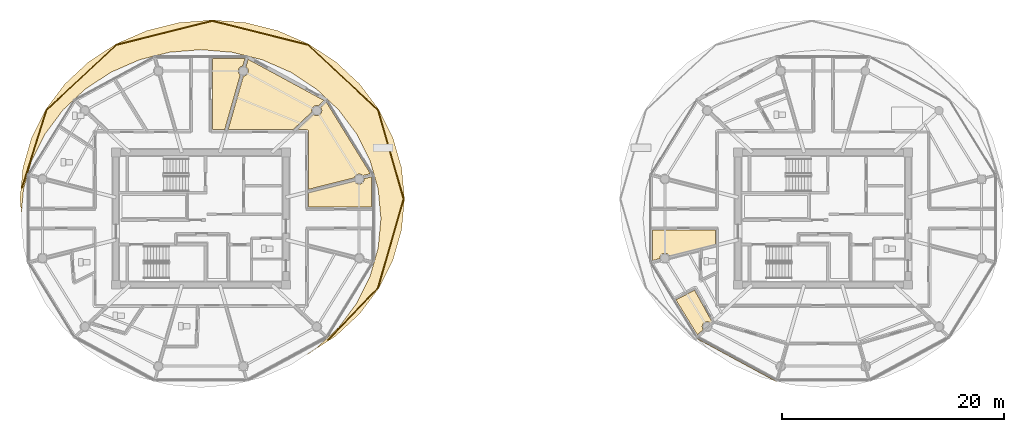
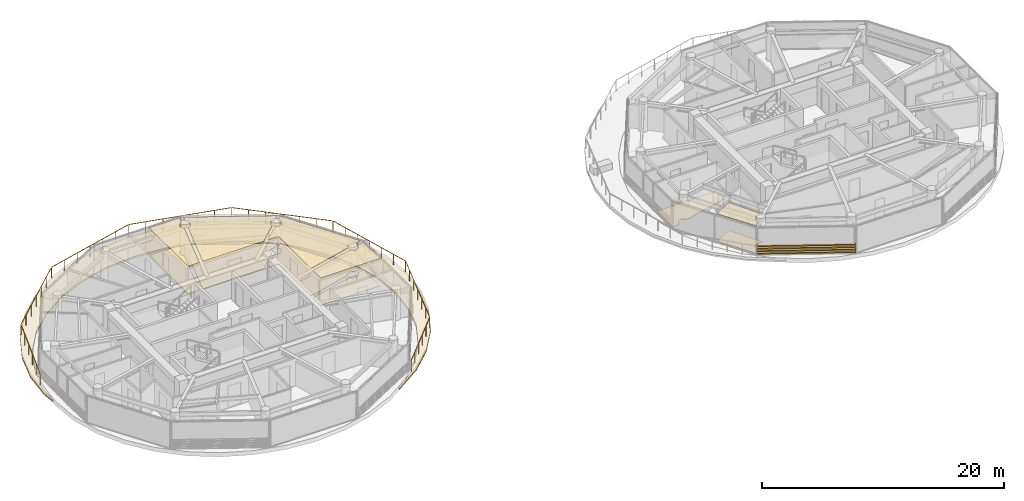
# One storey, part 20 of 28: 12 coverings, 1 railing, 1 shading device.
"""IFC4 building model written with IfcOpenShell, lengths in metres."""

from ifc_helpers import new_model, si_unit, direction, frame, origin, origin_2d, place, context, subcontext, project, spatial, polyline, rectangle, outline, extrude, source, transform, mapped, material, layer, layer_set, type_object, type_shapes, element, save


model = new_model("IFC4")

# Units and contexts
model_context = context("Model", 3, precision=1e-05, world=origin(), true_north=direction((0.0, 1.0)))
body_context = subcontext(model_context, "Body", "Model", "MODEL_VIEW")
ifc_project = project(units=[si_unit("LENGTHUNIT", "METRE"), si_unit("AREAUNIT", "SQUARE_METRE"), si_unit("VOLUMEUNIT", "CUBIC_METRE"), si_unit("PLANEANGLEUNIT", "RADIAN"), si_unit("MASSUNIT", "GRAM", prefix="KILO")], contexts=[model_context])

# Site, building, storey
site_placement = place(None, origin())
site = spatial("IfcSite", under=ifc_project, at=site_placement, CompositionType="ELEMENT")
building_placement = place(site_placement, origin())
building = spatial("IfcBuilding", under=site, at=building_placement, Name="Norrkilde Senior Care Towers", CompositionType="ELEMENT")
storey_placement = place(building_placement, frame((0.0, 0.0, 190.64990234375)))
storey = spatial("IfcBuildingStorey", under=building, at=storey_placement, Name="L59", CompositionType="ELEMENT", Elevation=190.64990234375)

# Coverings
ifc_material_1 = material(Name="Nordic Ash Timber", Category="wood")
ifc_layer_1 = layer(ifc_material_1, 0.044921875)
ifc_layer_set_1 = layer_set([ifc_layer_1], Name="Nordic Ash Timber")
covering_type_1 = type_object("IfcCoveringType", Name="Acoustic Ash Timber Slatted Ceiling 45", PredefinedType="CEILING", material=ifc_layer_set_1)
covering_1_placement = place(storey_placement, frame((0.0, 0.0, 2.76513671875)))
element("IfcCovering", 1, at=covering_1_placement, inside=storey, type_object=covering_type_1, Name="L59 Suspended Ceiling 0338", PredefinedType="CEILING", context=body_context, shape_type="SweptSolid", body=[
    extrude(outline(polyline([(-24.03759765625, 14.407470703125), (-24.229736328125, 13.730224609375), (-24.30029296875, 13.720947265625), (-24.409912109375, 13.675537109375), (-24.504150390625, 13.603271484375), (-24.576416015625, 13.509033203125), (-24.621826171875, 13.399169921875), (-24.637451171875, 13.281494140625), (-24.621826171875, 13.163818359375), (-24.576416015625, 13.053955078125), (-24.504150390625, 12.959716796875), (-24.458251953125, 12.924560546875), (-25.855224609375, 8.0), (-26.9599609375, 8.0), (-26.9599609375, 14.407470703125), (-24.03759765625, 14.407470703125)])), origin(), (0.0, 0.0, 1.0), 0.044921875),
])
covering_2_placement = place(storey_placement, frame((0.0, 0.0, 2.76513671875)))
element("IfcCovering", 2, at=covering_2_placement, inside=storey, type_object=covering_type_1, Name="L59 Suspended Ceiling 0340", PredefinedType="CEILING", context=body_context, shape_type="SweptSolid", body=[
    extrude(outline(polyline([(-12.62646484375, 1.0400390625), (-18.300048828125, 1.0400390625), (-18.300048828125, 2.331298828125), (-14.165771484375, 3.377685546875), (-14.146728515625, 3.331298828125), (-14.07421875, 3.237060546875), (-13.97998046875, 3.164794921875), (-13.870361328125, 3.119384765625), (-13.752685546875, 3.103759765625), (-13.634765625, 3.119384765625), (-13.525146484375, 3.164794921875), (-13.430908203125, 3.237060546875), (-13.358642578125, 3.331298828125), (-13.31298828125, 3.44091796875), (-13.297607421875, 3.558837890625), (-13.302490234375, 3.59619140625), (-12.62646484375, 3.76708984375), (-12.62646484375, 1.0400390625)])), origin(), (0.0, 0.0, 1.0), 0.044921875),
])
covering_3_placement = place(storey_placement, frame((0.0, 0.0, 2.76513671875)))
element("IfcCovering", 3, at=covering_3_placement, inside=storey, type_object=covering_type_1, Name="L59 Suspended Ceiling 0341", PredefinedType="CEILING", context=body_context, shape_type="SweptSolid", body=[
    extrude(outline(polyline([(-18.302734375, 7.833251953125), (-18.30517578125, 7.8447265625), (-18.30712890625, 7.852294921875), (-18.310546875, 7.86376953125), (-18.31298828125, 7.87109375), (-18.317626953125, 7.8818359375), (-18.321044921875, 7.888916015625), (-18.326416015625, 7.8994140625), (-18.33056640625, 7.90625), (-18.337158203125, 7.916015625), (-18.341796875, 7.92236328125), (-18.34912109375, 7.931396484375), (-18.3544921875, 7.937255859375), (-18.36279296875, 7.945556640625), (-18.36865234375, 7.95068359375), (-18.377685546875, 7.958251953125), (-18.384033203125, 7.962890625), (-18.393798828125, 7.969482421875), (-18.400634765625, 7.973388671875), (-18.410888671875, 7.97900390625), (-18.41796875, 7.982421875), (-18.428955078125, 7.98681640625), (-18.436279296875, 7.989501953125), (-18.447509765625, 7.992919921875), (-18.455322265625, 7.994873046875), (-18.466796875, 7.9970703125), (-18.474609375, 7.998291015625), (-18.486328125, 7.99951171875), (-18.494140625, 7.999755859375), (-18.5, 8.0), (-19.355712890625, 8.0), (-17.88134765625, 9.392822265625), (-17.797607421875, 9.32861328125), (-17.68798828125, 9.283203125), (-17.570068359375, 9.267822265625), (-17.452392578125, 9.283203125), (-17.3427734375, 9.32861328125), (-17.24853515625, 9.40087890625), (-17.176025390625, 9.4951171875), (-17.130615234375, 9.60498046875), (-17.115234375, 9.72265625), (-17.130615234375, 9.840576171875), (-17.176025390625, 9.9501953125), (-17.224365234375, 10.01318359375), (-16.71337890625, 10.495849609375), (-12.74267578125, 4.04736328125), (-13.426025390625, 3.874267578125), (-13.430908203125, 3.880615234375), (-13.525146484375, 3.952880859375), (-13.634765625, 3.998291015625), (-13.752685546875, 4.013671875), (-13.870361328125, 3.998291015625), (-13.97998046875, 3.952880859375), (-14.07421875, 3.880615234375), (-14.146728515625, 3.786376953125), (-14.190185546875, 3.680908203125), (-18.300048828125, 2.640625), (-18.300048828125, 7.800048828125), (-18.300048828125, 7.805908203125), (-18.300537109375, 7.813720703125), (-18.3017578125, 7.825439453125), (-18.302734375, 7.833251953125)])), origin(), (0.0, 0.0, 1.0), 0.044921875),
])
covering_4_placement = place(storey_placement, frame((0.0, 0.0, 2.76513671875)))
element("IfcCovering", 4, at=covering_4_placement, inside=storey, type_object=covering_type_1, Name="L59 Suspended Ceiling 0342", PredefinedType="CEILING", context=body_context, shape_type="SweptSolid", body=[
    extrude(outline(polyline([(-17.452392578125, 10.162109375), (-17.570068359375, 10.177734375), (-17.68798828125, 10.162109375), (-17.797607421875, 10.11669921875), (-17.891845703125, 10.04443359375), (-17.964111328125, 9.9501953125), (-18.009765625, 9.840576171875), (-18.025146484375, 9.72265625), (-18.009765625, 9.60498046875), (-18.0087890625, 9.6025390625), (-19.705322265625, 8.0), (-25.54345703125, 8.0), (-24.174072265625, 12.82763671875), (-24.064697265625, 12.842041015625), (-23.954833984375, 12.887451171875), (-23.860595703125, 12.959716796875), (-23.788330078125, 13.053955078125), (-23.742919921875, 13.163818359375), (-23.7275390625, 13.281494140625), (-23.742919921875, 13.399169921875), (-23.788330078125, 13.509033203125), (-23.860595703125, 13.603271484375), (-23.937255859375, 13.662109375), (-23.746337890625, 14.335693359375), (-16.91357421875, 10.636962890625), (-17.42724609375, 10.15185546875), (-17.452392578125, 10.162109375)])), origin(), (0.0, 0.0, 1.0), 0.044921875),
])
covering_5_placement = place(storey_placement, frame((0.0, 0.0, 2.76513671875)))
element("IfcCovering", 5, at=covering_5_placement, inside=storey, type_object=covering_type_1, Name="L59 Suspended Ceiling 0367", PredefinedType="CEILING", context=body_context, shape_type="SweptSolid", body=[
    extrude(outline(polyline([(17.86767578125, -9.38232421875), (17.797607421875, -9.32861328125), (17.68798828125, -9.283203125), (17.570068359375, -9.267822265625), (17.452392578125, -9.283203125), (17.3427734375, -9.32861328125), (17.24853515625, -9.40087890625), (17.176025390625, -9.4951171875), (17.130615234375, -9.60498046875), (17.115234375, -9.72265625), (17.130615234375, -9.840576171875), (17.176025390625, -9.9501953125), (17.202392578125, -9.984375), (16.68603515625, -10.45166015625), (14.753173828125, -7.3125), (16.42626953125, -6.435546875), (17.9921875, -9.26953125), (17.86767578125, -9.38232421875)])), origin(), (0.0, 0.0, 1.0), 0.044921875),
])
ifc_material_2 = material(Name="EPDM Waterproofing and PIR Insulation")
ifc_layer_2 = layer(ifc_material_2, 0.159912109375)
ifc_layer_set_2 = layer_set([ifc_layer_2], Name="EPDM Waterproofing and PIR Insulation")
covering_type_2 = type_object("IfcCoveringType", Name="Insulated EPDM Roof Membrane 160", PredefinedType="ROOFING", material=ifc_layer_set_2)
covering_6_placement = place(storey_placement, frame((0.0, 0.0, -0.389892578125)))
element("IfcCovering", 6, at=covering_6_placement, inside=storey, type_object=covering_type_2, Name="L59 Drum W Crescent Terrace Roof Membrane", PredefinedType="ROOFING", context=body_context, shape_type="SweptSolid", body=[
    extrude(outline(polyline([(-44.27490234375, 1.775390625), (-44.01220703125, 4.571044921875), (-43.231689453125, 7.281982421875), (-41.957275390625, 9.825439453125), (-40.2275390625, 12.124267578125), (-38.09521484375, 14.108642578125), (-35.625, 15.71826171875), (-32.891845703125, 16.904296875), (-29.97900390625, 17.630859375), (-26.97509765625, 17.875244140625), (-23.970947265625, 17.630859375), (-21.05810546875, 16.904296875), (-18.324951171875, 15.71826171875), (-15.854736328125, 14.108642578125), (-13.722412109375, 12.124267578125), (-11.99267578125, 9.825439453125), (-10.71826171875, 7.281982421875), (-9.937744140625, 4.571044921875), (-9.675048828125, 1.775390625), (-9.937744140625, -1.020263671875), (-10.71826171875, -3.731201171875), (-11.99267578125, -6.274658203125), (-13.722412109375, -8.573486328125), (-15.854736328125, -10.557861328125), (-18.324951171875, -12.167724609375), (-18.47216796875, -12.2314453125), (-17.583984375, -11.64794921875), (-17.583740234375, -11.647705078125), (-17.58349609375, -11.6474609375), (-15.586669921875, -9.77392578125), (-15.58642578125, -9.773681640625), (-15.586181640625, -9.7734375), (-13.96630859375, -7.60302734375), (-13.966064453125, -7.6025390625), (-13.9658203125, -7.602294921875), (-12.7724609375, -5.200927734375), (-12.772216796875, -5.200439453125), (-12.772216796875, -5.2001953125), (-12.041259765625, -2.640869140625), (-12.041259765625, -2.640380859375), (-12.041015625, -2.639892578125), (-11.794921875, -0.00048828125), (-11.794921875, 0.0), (-11.794921875, 0.00048828125), (-12.041015625, 2.639892578125), (-12.041259765625, 2.640380859375), (-12.041259765625, 2.640869140625), (-12.772216796875, 5.2001953125), (-12.772216796875, 5.200439453125), (-12.7724609375, 5.200927734375), (-13.9658203125, 7.602294921875), (-13.966064453125, 7.6025390625), (-13.96630859375, 7.60302734375), (-15.586181640625, 9.7734375), (-15.58642578125, 9.773681640625), (-15.586669921875, 9.77392578125), (-17.58349609375, 11.6474609375), (-17.583740234375, 11.647705078125), (-17.583984375, 11.64794921875), (-19.897216796875, 13.167724609375), (-19.897705078125, 13.16796875), (-19.89794921875, 13.168212890625), (-22.457275390625, 14.287841796875), (-22.457763671875, 14.2880859375), (-22.4580078125, 14.2880859375), (-25.185791015625, 14.973876953125), (-25.18603515625, 14.97412109375), (-25.1865234375, 14.97412109375), (-27.99951171875, 15.205078125), (-28.0, 15.205078125), (-28.00048828125, 15.205078125), (-30.8134765625, 14.97412109375), (-30.81396484375, 14.97412109375), (-30.814208984375, 14.973876953125), (-33.5419921875, 14.2880859375), (-33.542236328125, 14.2880859375), (-33.542724609375, 14.287841796875), (-36.10205078125, 13.168212890625), (-36.102294921875, 13.16796875), (-36.102783203125, 13.167724609375), (-38.416015625, 11.64794921875), (-38.416259765625, 11.647705078125), (-38.41650390625, 11.6474609375), (-40.413330078125, 9.77392578125), (-40.41357421875, 9.773681640625), (-40.413818359375, 9.7734375), (-42.03369140625, 7.60302734375), (-42.033935546875, 7.6025390625), (-42.0341796875, 7.602294921875), (-43.2275390625, 5.200927734375), (-43.227783203125, 5.200439453125), (-43.227783203125, 5.2001953125), (-43.958740234375, 2.640869140625), (-43.958740234375, 2.640380859375), (-43.958984375, 2.639892578125), (-44.15673828125, 0.517578125), (-44.27490234375, 1.775390625)])), origin(), (0.0, 0.0, 1.0), 0.159912109375),
])
ifc_material_3 = material(Name="Slip-Resistant Porcelain Stone", Category="masonry")
ifc_layer_3 = layer(ifc_material_3, 0.02490234375)
ifc_layer_set_3 = layer_set([ifc_layer_3], Name="Slip-Resistant Porcelain Stone")
covering_type_3 = type_object("IfcCoveringType", Name="Slip-Resistant Porcelain Flooring 25", PredefinedType="FLOORING", material=ifc_layer_set_3)
covering_7_placement = place(storey_placement, origin())
element("IfcCovering", 7, at=covering_7_placement, inside=storey, type_object=covering_type_3, Name="L59 Floor Finish 0338", PredefinedType="FLOORING", context=body_context, shape_type="SweptSolid", body=[
    extrude(outline(polyline([(-24.03759765625, 14.407470703125), (-24.229736328125, 13.730224609375), (-24.30029296875, 13.720947265625), (-24.409912109375, 13.675537109375), (-24.504150390625, 13.603271484375), (-24.576416015625, 13.509033203125), (-24.621826171875, 13.399169921875), (-24.637451171875, 13.281494140625), (-24.621826171875, 13.163818359375), (-24.576416015625, 13.053955078125), (-24.504150390625, 12.959716796875), (-24.458251953125, 12.924560546875), (-25.855224609375, 8.0), (-26.9599609375, 8.0), (-26.9599609375, 14.407470703125), (-24.03759765625, 14.407470703125)])), origin(), (0.0, 0.0, 1.0), 0.025146484375),
])
covering_8_placement = place(storey_placement, origin())
element("IfcCovering", 8, at=covering_8_placement, inside=storey, type_object=covering_type_3, Name="L59 Floor Finish 0340", PredefinedType="FLOORING", context=body_context, shape_type="SweptSolid", body=[
    extrude(outline(polyline([(-12.62646484375, 1.0400390625), (-18.300048828125, 1.0400390625), (-18.300048828125, 2.331298828125), (-14.165771484375, 3.377685546875), (-14.146728515625, 3.331298828125), (-14.07421875, 3.237060546875), (-13.97998046875, 3.164794921875), (-13.870361328125, 3.119384765625), (-13.752685546875, 3.103759765625), (-13.634765625, 3.119384765625), (-13.525146484375, 3.164794921875), (-13.430908203125, 3.237060546875), (-13.358642578125, 3.331298828125), (-13.31298828125, 3.44091796875), (-13.297607421875, 3.558837890625), (-13.302490234375, 3.59619140625), (-12.62646484375, 3.76708984375), (-12.62646484375, 1.0400390625)])), origin(), (0.0, 0.0, 1.0), 0.025146484375),
])
covering_9_placement = place(storey_placement, origin())
element("IfcCovering", 9, at=covering_9_placement, inside=storey, type_object=covering_type_3, Name="L59 Floor Finish 0341", PredefinedType="FLOORING", context=body_context, shape_type="SweptSolid", body=[
    extrude(outline(polyline([(-18.302734375, 7.833251953125), (-18.30517578125, 7.8447265625), (-18.30712890625, 7.852294921875), (-18.310546875, 7.86376953125), (-18.31298828125, 7.87109375), (-18.317626953125, 7.8818359375), (-18.321044921875, 7.888916015625), (-18.326416015625, 7.8994140625), (-18.33056640625, 7.90625), (-18.337158203125, 7.916015625), (-18.341796875, 7.92236328125), (-18.34912109375, 7.931396484375), (-18.3544921875, 7.937255859375), (-18.36279296875, 7.945556640625), (-18.36865234375, 7.95068359375), (-18.377685546875, 7.958251953125), (-18.384033203125, 7.962890625), (-18.393798828125, 7.969482421875), (-18.400634765625, 7.973388671875), (-18.410888671875, 7.97900390625), (-18.41796875, 7.982421875), (-18.428955078125, 7.98681640625), (-18.436279296875, 7.989501953125), (-18.447509765625, 7.992919921875), (-18.455322265625, 7.994873046875), (-18.466796875, 7.9970703125), (-18.474609375, 7.998291015625), (-18.486328125, 7.99951171875), (-18.494140625, 7.999755859375), (-18.5, 8.0), (-19.355712890625, 8.0), (-17.88134765625, 9.392822265625), (-17.797607421875, 9.32861328125), (-17.68798828125, 9.283203125), (-17.570068359375, 9.267822265625), (-17.452392578125, 9.283203125), (-17.3427734375, 9.32861328125), (-17.24853515625, 9.40087890625), (-17.176025390625, 9.4951171875), (-17.130615234375, 9.60498046875), (-17.115234375, 9.72265625), (-17.130615234375, 9.840576171875), (-17.176025390625, 9.9501953125), (-17.224365234375, 10.01318359375), (-16.71337890625, 10.495849609375), (-12.74267578125, 4.04736328125), (-13.426025390625, 3.874267578125), (-13.430908203125, 3.880615234375), (-13.525146484375, 3.952880859375), (-13.634765625, 3.998291015625), (-13.752685546875, 4.013671875), (-13.870361328125, 3.998291015625), (-13.97998046875, 3.952880859375), (-14.07421875, 3.880615234375), (-14.146728515625, 3.786376953125), (-14.190185546875, 3.680908203125), (-18.300048828125, 2.640625), (-18.300048828125, 7.800048828125), (-18.300048828125, 7.805908203125), (-18.300537109375, 7.813720703125), (-18.3017578125, 7.825439453125), (-18.302734375, 7.833251953125)])), origin(), (0.0, 0.0, 1.0), 0.025146484375),
])
covering_10_placement = place(storey_placement, origin())
element("IfcCovering", 10, at=covering_10_placement, inside=storey, type_object=covering_type_3, Name="L59 Floor Finish 0342", PredefinedType="FLOORING", context=body_context, shape_type="SweptSolid", body=[
    extrude(outline(polyline([(-17.452392578125, 10.162109375), (-17.570068359375, 10.177734375), (-17.68798828125, 10.162109375), (-17.797607421875, 10.11669921875), (-17.891845703125, 10.04443359375), (-17.964111328125, 9.9501953125), (-18.009765625, 9.840576171875), (-18.025146484375, 9.72265625), (-18.009765625, 9.60498046875), (-18.0087890625, 9.6025390625), (-19.705322265625, 8.0), (-25.54345703125, 8.0), (-24.174072265625, 12.82763671875), (-24.064697265625, 12.842041015625), (-23.954833984375, 12.887451171875), (-23.860595703125, 12.959716796875), (-23.788330078125, 13.053955078125), (-23.742919921875, 13.163818359375), (-23.7275390625, 13.281494140625), (-23.742919921875, 13.399169921875), (-23.788330078125, 13.509033203125), (-23.860595703125, 13.603271484375), (-23.937255859375, 13.662109375), (-23.746337890625, 14.335693359375), (-16.91357421875, 10.636962890625), (-17.42724609375, 10.15185546875), (-17.452392578125, 10.162109375)])), origin(), (0.0, 0.0, 1.0), 0.025146484375),
])
covering_11_placement = place(storey_placement, origin())
element("IfcCovering", 11, at=covering_11_placement, inside=storey, type_object=covering_type_3, Name="L59 Floor Finish 0356", PredefinedType="FLOORING", context=body_context, shape_type="SweptSolid", body=[
    extrude(outline(polyline([(18.300048828125, -1.0400390625), (18.300048828125, -2.331298828125), (14.165771484375, -3.377685546875), (14.146728515625, -3.331298828125), (14.07421875, -3.237060546875), (13.97998046875, -3.164794921875), (13.870361328125, -3.119384765625), (13.752685546875, -3.103759765625), (13.634765625, -3.119384765625), (13.525146484375, -3.164794921875), (13.430908203125, -3.237060546875), (13.358642578125, -3.331298828125), (13.31298828125, -3.44091796875), (13.297607421875, -3.558837890625), (13.302490234375, -3.59619140625), (12.62646484375, -3.76708984375), (12.62646484375, -1.0400390625), (18.300048828125, -1.0400390625)])), origin(), (0.0, 0.0, 1.0), 0.025146484375),
])
covering_12_placement = place(storey_placement, origin())
element("IfcCovering", 12, at=covering_12_placement, inside=storey, type_object=covering_type_3, Name="L59 Floor Finish 0367", PredefinedType="FLOORING", context=body_context, shape_type="SweptSolid", body=[
    extrude(outline(polyline([(17.86767578125, -9.38232421875), (17.797607421875, -9.32861328125), (17.68798828125, -9.283203125), (17.570068359375, -9.267822265625), (17.452392578125, -9.283203125), (17.3427734375, -9.32861328125), (17.24853515625, -9.40087890625), (17.176025390625, -9.4951171875), (17.130615234375, -9.60498046875), (17.115234375, -9.72265625), (17.130615234375, -9.840576171875), (17.176025390625, -9.9501953125), (17.202392578125, -9.984375), (16.68603515625, -10.45166015625), (14.753173828125, -7.3125), (16.42626953125, -6.435546875), (17.9921875, -9.26953125), (17.86767578125, -9.38232421875)])), origin(), (0.0, 0.0, 1.0), 0.025146484375),
])

# Railing
ifc_material_4 = material(Name="Stainless Steel", Category="steel")
railing_type = type_object("IfcRailingType", Name="Stair and Terrace Guardrail 1100", PredefinedType="GUARDRAIL", material=ifc_material_4)
railing_placement = place(storey_placement, frame((-44.099853515625, 2.783935546875, 0.0)))
element("IfcRailing", 13, at=railing_placement, inside=storey, type_object=railing_type, Name="L59 Perimeter Safety Guard 02", PredefinedType="GUARDRAIL", context=body_context, shape_type="SweptSolid", body=[
    extrude(rectangle(XDim=0.048095703125, YDim=0.048095703125, at=origin_2d()), frame((0.0, 0.0, 1.09619140625), z_axis=(0.301220512085, 0.953554509768, 0.0), x_axis=(-0.953554509768, 0.301220512085, 0.0)), (0.0, 0.0, 1.0), 7.299072265625),
    extrude(rectangle(XDim=0.048095703125, YDim=0.048095703125, at=origin_2d()), frame((2.240966796875, 7.02685546875, 1.09619140625), z_axis=(0.732046610246, 0.681254548922, 0.0), x_axis=(-0.681254548922, 0.732046610246, 0.0)), (0.0, 0.0, 1.0), 8.527099609375),
    extrude(rectangle(XDim=0.048095703125, YDim=0.048095703125, at=origin_2d()), frame((8.552490234375, 12.873779296875, 1.09619140625), z_axis=(0.970287951468, 0.241953076518, 0.0), x_axis=(-0.241953076518, 0.970287951468, 0.0)), (0.0, 0.0, 1.0), 8.793701171875),
    extrude(rectangle(XDim=0.048095703125, YDim=0.048095703125, at=origin_2d()), frame((17.164306640625, 15.001220703125, 1.09619140625), z_axis=(0.970289561708, -0.241946618988, 0.0), x_axis=(0.241946618988, 0.970289561708, 0.0)), (0.0, 0.0, 1.0), 8.7939453125),
    extrude(rectangle(XDim=0.048095703125, YDim=0.048095703125, at=origin_2d()), frame((25.766845703125, 12.8359375, 1.09619140625), z_axis=(0.732046610246, -0.681254548922, 0.0), x_axis=(0.681254548922, 0.732046610246, 0.0)), (0.0, 0.0, 1.0), 8.527099609375),
    extrude(rectangle(XDim=0.048095703125, YDim=0.048095703125, at=origin_2d()), frame((32.050048828125, 6.959716796875, 1.09619140625), z_axis=(0.27669404493, -0.960958066463, 0.0), x_axis=(0.960958066463, 0.27669404493, 0.0)), (0.0, 0.0, 1.0), 8.251220703125),
    extrude(rectangle(XDim=0.048095703125, YDim=0.048095703125, at=origin_2d()), frame((34.333251953125, -1.0478515625, 1.09619140625), z_axis=(-0.27668625495, -0.960960309441, 0.0), x_axis=(0.960960309441, -0.27668625495, 0.0)), (0.0, 0.0, 1.0), 8.25146484375),
    extrude(rectangle(XDim=0.048095703125, YDim=0.048095703125, at=origin_2d()), frame((32.010498046875, -9.0458984375, 1.09619140625), z_axis=(-0.691735071291, -0.722151363044, 0.0), x_axis=(0.722151363044, -0.691735071291, 0.0)), (0.0, 0.0, 1.0), 6.4365234375),
    extrude(rectangle(XDim=0.0419921875, YDim=0.0419921875, at=origin_2d()), origin(), (0.0, 0.0, 1.0), 1.070068359375),
    extrude(rectangle(XDim=0.0419921875, YDim=0.0419921875, at=origin_2d()), frame((0.442138671875, 1.39990234375, 0.0)), (0.0, 0.0, 1.0), 1.070068359375),
    extrude(rectangle(XDim=0.0419921875, YDim=0.0419921875, at=origin_2d()), frame((0.88427734375, 2.799560546875, 0.0)), (0.0, 0.0, 1.0), 1.070068359375),
    extrude(rectangle(XDim=0.0419921875, YDim=0.0419921875, at=origin_2d()), frame((1.32666015625, 4.199462890625, 0.0)), (0.0, 0.0, 1.0), 1.070068359375),
    extrude(rectangle(XDim=0.0419921875, YDim=0.0419921875, at=origin_2d()), frame((1.768798828125, 5.59912109375, 0.0)), (0.0, 0.0, 1.0), 1.070068359375),
    extrude(rectangle(XDim=0.0419921875, YDim=0.0419921875, at=origin_2d()), frame((2.2109375, 6.9990234375, 0.0)), (0.0, 0.0, 1.0), 1.070068359375),
    extrude(rectangle(XDim=0.0419921875, YDim=0.0419921875, at=origin_2d()), frame((3.26123046875, 7.9765625, 0.0)), (0.0, 0.0, 1.0), 1.070068359375),
    extrude(rectangle(XDim=0.0419921875, YDim=0.0419921875, at=origin_2d()), frame((4.3115234375, 8.953857421875, 0.0)), (0.0, 0.0, 1.0), 1.070068359375),
    extrude(rectangle(XDim=0.0419921875, YDim=0.0419921875, at=origin_2d()), frame((5.36181640625, 9.931396484375, 0.0)), (0.0, 0.0, 1.0), 1.070068359375),
    extrude(rectangle(XDim=0.0419921875, YDim=0.0419921875, at=origin_2d()), frame((6.412353515625, 10.908935546875, 0.0)), (0.0, 0.0, 1.0), 1.070068359375),
    extrude(rectangle(XDim=0.0419921875, YDim=0.0419921875, at=origin_2d()), frame((7.462646484375, 11.88623046875, 0.0)), (0.0, 0.0, 1.0), 1.070068359375),
    extrude(rectangle(XDim=0.0419921875, YDim=0.0419921875, at=origin_2d()), frame((8.512939453125, 12.86376953125, 0.0)), (0.0, 0.0, 1.0), 1.070068359375),
    extrude(rectangle(XDim=0.0419921875, YDim=0.0419921875, at=origin_2d()), frame((9.9482421875, 13.2216796875, 0.0)), (0.0, 0.0, 1.0), 1.070068359375),
    extrude(rectangle(XDim=0.0419921875, YDim=0.0419921875, at=origin_2d()), frame((11.383544921875, 13.57958984375, 0.0)), (0.0, 0.0, 1.0), 1.070068359375),
    extrude(rectangle(XDim=0.0419921875, YDim=0.0419921875, at=origin_2d()), frame((12.81884765625, 13.9375, 0.0)), (0.0, 0.0, 1.0), 1.070068359375),
    extrude(rectangle(XDim=0.0419921875, YDim=0.0419921875, at=origin_2d()), frame((14.254150390625, 14.29541015625, 0.0)), (0.0, 0.0, 1.0), 1.070068359375),
    extrude(rectangle(XDim=0.0419921875, YDim=0.0419921875, at=origin_2d()), frame((15.689453125, 14.6533203125, 0.0)), (0.0, 0.0, 1.0), 1.070068359375),
    extrude(rectangle(XDim=0.0419921875, YDim=0.0419921875, at=origin_2d()), frame((17.124755859375, 15.01123046875, 0.0)), (0.0, 0.0, 1.0), 1.070068359375),
    extrude(rectangle(XDim=0.0419921875, YDim=0.0419921875, at=origin_2d()), frame((18.56005859375, 14.6533203125, 0.0)), (0.0, 0.0, 1.0), 1.070068359375),
    extrude(rectangle(XDim=0.0419921875, YDim=0.0419921875, at=origin_2d()), frame((19.995361328125, 14.29541015625, 0.0)), (0.0, 0.0, 1.0), 1.070068359375),
    extrude(rectangle(XDim=0.0419921875, YDim=0.0419921875, at=origin_2d()), frame((21.4306640625, 13.9375, 0.0)), (0.0, 0.0, 1.0), 1.070068359375),
    extrude(rectangle(XDim=0.0419921875, YDim=0.0419921875, at=origin_2d()), frame((22.8662109375, 13.57958984375, 0.0)), (0.0, 0.0, 1.0), 1.070068359375),
    extrude(rectangle(XDim=0.0419921875, YDim=0.0419921875, at=origin_2d()), frame((24.301513671875, 13.2216796875, 0.0)), (0.0, 0.0, 1.0), 1.070068359375),
    extrude(rectangle(XDim=0.0419921875, YDim=0.0419921875, at=origin_2d()), frame((25.73681640625, 12.86376953125, 0.0)), (0.0, 0.0, 1.0), 1.070068359375),
    extrude(rectangle(XDim=0.0419921875, YDim=0.0419921875, at=origin_2d()), frame((26.787109375, 11.88623046875, 0.0)), (0.0, 0.0, 1.0), 1.070068359375),
    extrude(rectangle(XDim=0.0419921875, YDim=0.0419921875, at=origin_2d()), frame((27.83740234375, 10.908935546875, 0.0)), (0.0, 0.0, 1.0), 1.070068359375),
    extrude(rectangle(XDim=0.0419921875, YDim=0.0419921875, at=origin_2d()), frame((28.8876953125, 9.931396484375, 0.0)), (0.0, 0.0, 1.0), 1.070068359375),
    extrude(rectangle(XDim=0.0419921875, YDim=0.0419921875, at=origin_2d()), frame((29.938232421875, 8.953857421875, 0.0)), (0.0, 0.0, 1.0), 1.070068359375),
    extrude(rectangle(XDim=0.0419921875, YDim=0.0419921875, at=origin_2d()), frame((30.988525390625, 7.9765625, 0.0)), (0.0, 0.0, 1.0), 1.070068359375),
    extrude(rectangle(XDim=0.0419921875, YDim=0.0419921875, at=origin_2d()), frame((32.038818359375, 6.9990234375, 0.0)), (0.0, 0.0, 1.0), 1.070068359375),
    extrude(rectangle(XDim=0.0419921875, YDim=0.0419921875, at=origin_2d()), frame((32.423095703125, 5.66455078125, 0.0)), (0.0, 0.0, 1.0), 1.070068359375),
    extrude(rectangle(XDim=0.0419921875, YDim=0.0419921875, at=origin_2d()), frame((32.807373046875, 4.329833984375, 0.0)), (0.0, 0.0, 1.0), 1.070068359375),
    extrude(rectangle(XDim=0.0419921875, YDim=0.0419921875, at=origin_2d()), frame((33.191650390625, 2.9951171875, 0.0)), (0.0, 0.0, 1.0), 1.070068359375),
    extrude(rectangle(XDim=0.0419921875, YDim=0.0419921875, at=origin_2d()), frame((33.575927734375, 1.66064453125, 0.0)), (0.0, 0.0, 1.0), 1.070068359375),
    extrude(rectangle(XDim=0.0419921875, YDim=0.0419921875, at=origin_2d()), frame((33.960205078125, 0.326171875, 0.0)), (0.0, 0.0, 1.0), 1.070068359375),
    extrude(rectangle(XDim=0.0419921875, YDim=0.0419921875, at=origin_2d()), frame((34.344482421875, -1.008544921875, 0.0)), (0.0, 0.0, 1.0), 1.070068359375),
    extrude(rectangle(XDim=0.0419921875, YDim=0.0419921875, at=origin_2d()), frame((33.960205078125, -2.34326171875, 0.0)), (0.0, 0.0, 1.0), 1.070068359375),
    extrude(rectangle(XDim=0.0419921875, YDim=0.0419921875, at=origin_2d()), frame((33.575927734375, -3.677734375, 0.0)), (0.0, 0.0, 1.0), 1.070068359375),
    extrude(rectangle(XDim=0.0419921875, YDim=0.0419921875, at=origin_2d()), frame((33.191650390625, -5.012451171875, 0.0)), (0.0, 0.0, 1.0), 1.070068359375),
    extrude(rectangle(XDim=0.0419921875, YDim=0.0419921875, at=origin_2d()), frame((32.807373046875, -6.34716796875, 0.0)), (0.0, 0.0, 1.0), 1.070068359375),
    extrude(rectangle(XDim=0.0419921875, YDim=0.0419921875, at=origin_2d()), frame((32.423095703125, -7.681640625, 0.0)), (0.0, 0.0, 1.0), 1.070068359375),
    extrude(rectangle(XDim=0.0419921875, YDim=0.0419921875, at=origin_2d()), frame((32.038818359375, -9.016357421875, 0.0)), (0.0, 0.0, 1.0), 1.070068359375),
    extrude(rectangle(XDim=0.0419921875, YDim=0.0419921875, at=origin_2d()), frame((31.142578125, -9.951904296875, 0.0)), (0.0, 0.0, 1.0), 1.070068359375),
    extrude(rectangle(XDim=0.0419921875, YDim=0.0419921875, at=origin_2d()), frame((30.24658203125, -10.887451171875, 0.0)), (0.0, 0.0, 1.0), 1.070068359375),
    extrude(rectangle(XDim=0.0419921875, YDim=0.0419921875, at=origin_2d()), frame((29.350341796875, -11.822998046875, 0.0)), (0.0, 0.0, 1.0), 1.070068359375),
    extrude(rectangle(XDim=0.0419921875, YDim=0.0419921875, at=origin_2d()), frame((28.454345703125, -12.758544921875, 0.0)), (0.0, 0.0, 1.0), 1.070068359375),
    extrude(rectangle(XDim=0.0419921875, YDim=0.0419921875, at=origin_2d()), frame((27.55810546875, -13.694091796875, 0.0)), (0.0, 0.0, 1.0), 1.070068359375),
])

# Shading device
ifc_material_5 = material(Name="Architectural Terracotta", Category="masonry")
shading_device_type = type_object("IfcShadingDeviceType", Name="Horizontal Terracotta Baguette Rack", PredefinedType="USERDEFINED", material=ifc_material_5)
shared_shape = source(origin(), body_context, "Body", "SweptSolid", [
    extrude(rectangle(XDim=0.070068359375, YDim=0.110107421875, at=origin_2d()), frame((0.0, 0.090087890625, 0.125), z_axis=(1.0, 0.0, 0.0), x_axis=(0.0, 1.0, 0.0)), (0.0, 0.0, 1.0), 8.197265625),
    extrude(rectangle(XDim=0.070068359375, YDim=0.110107421875, at=origin_2d()), frame((0.0, 0.090087890625, 0.375), z_axis=(1.0, 0.0, 0.0), x_axis=(0.0, 1.0, 0.0)), (0.0, 0.0, 1.0), 8.197265625),
    extrude(rectangle(XDim=0.070068359375, YDim=0.110107421875, at=origin_2d()), frame((0.0, 0.090087890625, 0.625), z_axis=(1.0, 0.0, 0.0), x_axis=(0.0, 1.0, 0.0)), (0.0, 0.0, 1.0), 8.197265625),
    extrude(rectangle(XDim=0.070068359375, YDim=0.110107421875, at=origin_2d()), frame((0.0, 0.090087890625, 0.875), z_axis=(1.0, 0.0, 0.0), x_axis=(0.0, 1.0, 0.0)), (0.0, 0.0, 1.0), 8.197265625),
    extrude(rectangle(XDim=0.050048828125, YDim=0.1552734375, at=origin_2d()), frame((0.02490234375, 0.047607421875, 0.0)), (0.0, 0.0, 1.0), 1.0),
    extrude(rectangle(XDim=0.050048828125, YDim=0.1552734375, at=origin_2d()), frame((8.17236328125, 0.047607421875, 0.0)), (0.0, 0.0, 1.0), 1.0),
])
type_shapes(shading_device_type, [shared_shape])
shading_device_placement = place(storey_placement, frame((23.838134765625, -14.566162109375, 0.080078125), z_axis=(0.0, 0.0, 1.0), x_axis=(-0.879378127234, 0.476143674053, 0.0)))
element("IfcShadingDevice", 14, at=shading_device_placement, inside=storey, type_object=shading_device_type, Name="L59 Drum E Terracotta Baguette Screen 07", ObjectType="BAGUETTE", PredefinedType="USERDEFINED", context=body_context, shape_type="MappedRepresentation", body=[
    mapped(shared_shape, transform((0.0, 0.0, 0.0), x_axis=(1.0, 0.0, 0.0), y_axis=(0.0, 1.0, 0.0), z_axis=(0.0, 0.0, 1.0), scale=1.0)),
])

save(model, "model.ifc")
